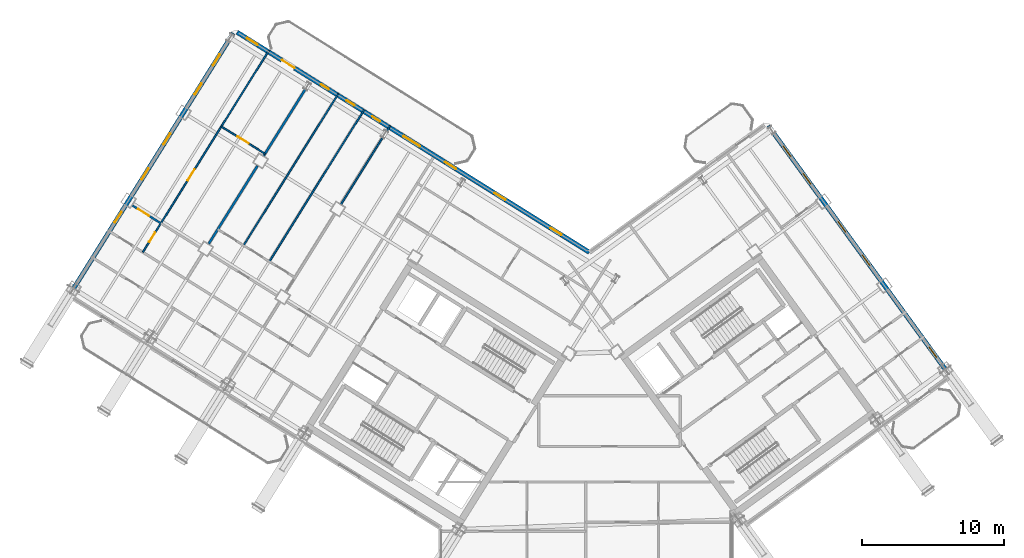
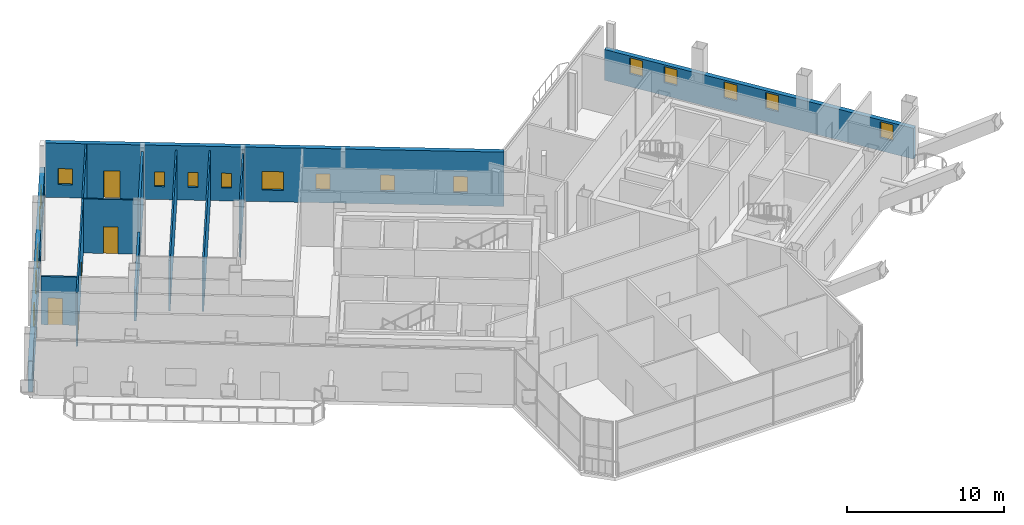
# One storey, part 26 of 34: 18 windows, 12 walls, 5 doors, 23 openings.
"""IFC4 building model written with IfcOpenShell, lengths in metres."""

from ifc_helpers import new_model, si_unit, direction, frame, frame_2d, origin, place, context, subcontext, project, spatial, rectangle, extrude, source, transform, mapped, material, layer, layer_set, type_object, element, fill, save


model = new_model("IFC4")

# Units and contexts
model_context = context("Model", 3, precision=1e-05, world=origin(), true_north=direction((0.0, 1.0)))
body_context = subcontext(model_context, "Body", "Model", "MODEL_VIEW")
ifc_project = project(units=[si_unit("LENGTHUNIT", "METRE"), si_unit("AREAUNIT", "SQUARE_METRE"), si_unit("VOLUMEUNIT", "CUBIC_METRE"), si_unit("PLANEANGLEUNIT", "RADIAN"), si_unit("MASSUNIT", "GRAM", prefix="KILO")], contexts=[model_context])

# Site, building, storey
site_placement = place(None, origin())
site = spatial("IfcSite", under=ifc_project, at=site_placement, CompositionType="ELEMENT")
building_placement = place(site_placement, origin())
building = spatial("IfcBuilding", under=site, at=building_placement, Name="Tlacorven Tower", CompositionType="ELEMENT")
storey_placement = place(building_placement, frame((0.0, 0.0, 229.199951171875)))
storey = spatial("IfcBuildingStorey", under=building, at=storey_placement, Name="L58", CompositionType="ELEMENT", Elevation=229.199951171875)

# Walls
ifc_material_1 = material(Name="Gypsum plasterboard acoustic partition", Category="gypsum")
ifc_layer_1 = layer(ifc_material_1, 0.159912109375)
ifc_layer_set_1 = layer_set([ifc_layer_1], Name="Gypsum plasterboard acoustic partition")
wall_type_1 = type_object("IfcWallType", Name="WL-DEM-160", PredefinedType="PARTITIONING", material=ifc_layer_set_1)
wall_1_placement = place(storey_placement, frame((22.206298828125, 43.048828125, 0.0), z_axis=(0.0, 0.0, 1.0), x_axis=(-0.529919150083, -0.848048167486, 0.0)))
element("IfcWall", 1, at=wall_1_placement, inside=storey, type_object=wall_type_1, Name="L58 WS Demising Wall 1", PredefinedType="PARTITIONING", context=body_context, shape_type="SweptSolid", body=[
    extrude(rectangle(XDim=5.5009765625, YDim=0.159912109375, at=frame_2d((2.75048828125, 0.0))), origin(), (0.0, 0.0, 1.0), 4.2099609375),
])
wall_2_placement = place(storey_placement, frame((18.8544921875, 37.684814453125, 0.0), z_axis=(0.0, 0.0, 1.0), x_axis=(-0.529907440938, -0.848055484057, 0.0)))
element("IfcWall", 2, at=wall_2_placement, inside=storey, type_object=wall_type_1, Name="L58 WS Demising Wall 1", PredefinedType="PARTITIONING", context=body_context, shape_type="SweptSolid", body=[
    extrude(rectangle(XDim=6.475830078125, YDim=0.159912109375, at=frame_2d((3.23779296875, 0.0))), origin(), (0.0, 0.0, 1.0), 2.39501953125),
])

# Wall, openings, windows
ifc_material_2 = material(Name="Precast concrete C45/55", Category="concrete")
ifc_layer_2 = layer(ifc_material_2, 0.320068359375)
ifc_layer_set_2 = layer_set([ifc_layer_2], Name="Precast concrete C45/55")
wall_type_2 = type_object("IfcWallType", Name="WL-EXT-320", PredefinedType="STANDARD", material=ifc_layer_set_2)
wall_3_placement = place(storey_placement, frame((5.699951171875, 28.71044921875, 0.0), z_axis=(0.0, 0.0, 1.0), x_axis=(0.529923711467, 0.8480453172, 0.0)))
wall_3 = element("IfcWall", 3, at=wall_3_placement, inside=storey, type_object=wall_type_2, Name="L58 Masonry-Frame Recessed Facade Wall 2", PredefinedType="STANDARD", context=body_context, shape_type="SweptSolid", body=[
    extrude(rectangle(XDim=21.58740234375, YDim=0.320068359375, at=frame_2d((10.793701171875, 0.0))), origin(), (0.0, 0.0, 1.0), 2.39501953125),
])
opening_1_placement = place(wall_3_placement, frame((5.858642578125, 0.0, 1.0)))
opening_1 = element("IfcOpeningElement", 4, at=opening_1_placement, cuts=wall_3, Name="Opening WN05", PredefinedType="OPENING", context=body_context, shape_type="SweptSolid", body=[
    extrude(rectangle(XDim=0.89990234375, YDim=1.25, at=frame_2d((0.449951171875, 0.625))), frame((0.0, 0.169921875, 0.0), z_axis=(0.0, -1.0, 0.0), x_axis=(1.0, 0.0, 0.0)), (0.0, 0.0, 1.0), 0.340087890625),
])
opening_2_placement = place(wall_3_placement, frame((9.443603515625, 0.0, 1.0)))
opening_2 = element("IfcOpeningElement", 5, at=opening_2_placement, cuts=wall_3, Name="Opening WN05", PredefinedType="OPENING", context=body_context, shape_type="SweptSolid", body=[
    extrude(rectangle(XDim=0.89990234375, YDim=1.25, at=frame_2d((0.449951171875, 0.625))), frame((0.0, 0.169921875, 0.0), z_axis=(0.0, -1.0, 0.0), x_axis=(1.0, 0.0, 0.0)), (0.0, 0.0, 1.0), 0.340087890625),
])
opening_3_placement = place(wall_3_placement, frame((12.34375, 0.0, 1.0)))
opening_3 = element("IfcOpeningElement", 6, at=opening_3_placement, cuts=wall_3, Name="Opening WN05", PredefinedType="OPENING", context=body_context, shape_type="SweptSolid", body=[
    extrude(rectangle(XDim=0.89990234375, YDim=1.25, at=frame_2d((0.449951171875, 0.625))), frame((0.0, 0.169921875, 0.0), z_axis=(0.0, -1.0, 0.0), x_axis=(1.0, 0.0, 0.0)), (0.0, 0.0, 1.0), 0.340087890625),
])
opening_4_placement = place(wall_3_placement, frame((16.5, 0.0, 1.0)))
opening_4 = element("IfcOpeningElement", 7, at=opening_4_placement, cuts=wall_3, Name="Opening WN05", PredefinedType="OPENING", context=body_context, shape_type="SweptSolid", body=[
    extrude(rectangle(XDim=0.89990234375, YDim=1.25, at=frame_2d((0.449951171875, 0.625))), frame((0.0, 0.169921875, 0.0), z_axis=(0.0, -1.0, 0.0), x_axis=(1.0, 0.0, 0.0)), (0.0, 0.0, 1.0), 0.340087890625),
])
opening_5_placement = place(wall_3_placement, frame((18.91259765625, 0.0, 1.0)))
opening_5 = element("IfcOpeningElement", 8, at=opening_5_placement, cuts=wall_3, Name="Opening WN05", PredefinedType="OPENING", context=body_context, shape_type="SweptSolid", body=[
    extrude(rectangle(XDim=0.89990234375, YDim=1.25, at=frame_2d((0.449951171875, 0.625))), frame((0.0, 0.169921875, 0.0), z_axis=(0.0, -1.0, 0.0), x_axis=(1.0, 0.0, 0.0)), (0.0, 0.0, 1.0), 0.340087890625),
])
ifc_material_3 = material(Name="Dark solar low-E double glazing in anodised aluminium frame", Category="aluminium")
window_type_1 = type_object("IfcWindowType", Name="WN-APT-0900X1350", PartitioningType="SINGLE_PANEL", PredefinedType="WINDOW", material=ifc_material_3)
shared_shape_1 = source(origin(), body_context, "Body", "SweptSolid", [
    extrude(rectangle(XDim=0.89990234375, YDim=1.25, at=frame_2d((0.449951171875, 0.625))), frame((0.0, 0.030029296875, 0.0), z_axis=(0.0, -1.0, 0.0), x_axis=(1.0, 0.0, 0.0)), (0.0, 0.0, 1.0), 0.06005859375),
])
window_1_placement = place(opening_1_placement, origin())
window_1 = element("IfcWindow", 9, at=window_1_placement, inside=storey, type_object=window_type_1, Name="L58 Recessed Masonry-Frame Window L58-02.1", OverallHeight=1.25, OverallWidth=0.89990234375, PartitioningType="SINGLE_PANEL", PredefinedType="WINDOW", context=body_context, shape_type="MappedRepresentation", body=[
    mapped(shared_shape_1, transform((0.0, 0.0, 0.0), scale=1.0)),
])
fill(opening_1, window_1)
window_2_placement = place(opening_2_placement, origin())
window_2 = element("IfcWindow", 10, at=window_2_placement, inside=storey, type_object=window_type_1, Name="L58 Recessed Masonry-Frame Window L58-02.2", OverallHeight=1.25, OverallWidth=0.89990234375, PartitioningType="SINGLE_PANEL", PredefinedType="WINDOW", context=body_context, shape_type="MappedRepresentation", body=[
    mapped(shared_shape_1, transform((0.0, 0.0, 0.0), scale=1.0)),
])
fill(opening_2, window_2)
window_3_placement = place(opening_3_placement, origin())
window_3 = element("IfcWindow", 11, at=window_3_placement, inside=storey, type_object=window_type_1, Name="L58 Recessed Masonry-Frame Window L58-02.3", OverallHeight=1.25, OverallWidth=0.89990234375, PartitioningType="SINGLE_PANEL", PredefinedType="WINDOW", context=body_context, shape_type="MappedRepresentation", body=[
    mapped(shared_shape_1, transform((0.0, 0.0, 0.0), scale=1.0)),
])
fill(opening_3, window_3)
window_4_placement = place(opening_4_placement, origin())
window_4 = element("IfcWindow", 12, at=window_4_placement, inside=storey, type_object=window_type_1, Name="L58 Recessed Masonry-Frame Window L58-02.4", OverallHeight=1.25, OverallWidth=0.89990234375, PartitioningType="SINGLE_PANEL", PredefinedType="WINDOW", context=body_context, shape_type="MappedRepresentation", body=[
    mapped(shared_shape_1, transform((0.0, 0.0, 0.0), scale=1.0)),
])
fill(opening_4, window_4)
window_5_placement = place(opening_5_placement, origin())
window_5 = element("IfcWindow", 13, at=window_5_placement, inside=storey, type_object=window_type_1, Name="L58 Recessed Masonry-Frame Window L58-02.5", OverallHeight=1.25, OverallWidth=0.89990234375, PartitioningType="SINGLE_PANEL", PredefinedType="WINDOW", context=body_context, shape_type="MappedRepresentation", body=[
    mapped(shared_shape_1, transform((0.0, 0.0, 0.0), scale=1.0)),
])
fill(opening_5, window_5)

# Wall, openings, door, windows
wall_4_placement = place(storey_placement, frame((17.423828125, 47.083251953125, 0.0), z_axis=(0.0, 0.0, 1.0), x_axis=(0.848049927979, -0.529916332693, 0.0)))
wall_4 = element("IfcWall", 14, at=wall_4_placement, inside=storey, type_object=wall_type_2, Name="L58 Masonry-Frame Recessed Facade Wall 3", PredefinedType="STANDARD", context=body_context, shape_type="SweptSolid", body=[
    extrude(rectangle(XDim=29.22314453125, YDim=0.320068359375, at=frame_2d((14.611572265625, 0.0))), origin(), (0.0, 0.0, 1.0), 4.219970703125),
])
opening_6_placement = place(wall_4_placement, frame((3.708740234375, 0.0, 0.0)))
opening_6 = element("IfcOpeningElement", 15, at=opening_6_placement, cuts=wall_4, Name="Opening D06", PredefinedType="OPENING", context=body_context, shape_type="SweptSolid", body=[
    extrude(rectangle(XDim=1.050048828125, YDim=2.14990234375, at=frame_2d((0.52490234375, 1.074951171875))), frame((0.0, 0.169921875, 0.0), z_axis=(0.0, -1.0, 0.0), x_axis=(1.0, 0.0, 0.0)), (0.0, 0.0, 1.0), 0.340087890625),
])
opening_7_placement = place(wall_4_placement, frame((0.809326171875, 0.0, 1.0)))
opening_7 = element("IfcOpeningElement", 16, at=opening_7_placement, cuts=wall_4, Name="Opening WN05", PredefinedType="OPENING", context=body_context, shape_type="SweptSolid", body=[
    extrude(rectangle(XDim=0.89990234375, YDim=1.25, at=frame_2d((0.449951171875, 0.625))), frame((0.0, 0.169921875, 0.0), z_axis=(0.0, -1.0, 0.0), x_axis=(1.0, 0.0, 0.0)), (0.0, 0.0, 1.0), 0.340087890625),
])
opening_8_placement = place(wall_4_placement, frame((13.811279296875, 0.0, 0.89990234375)))
opening_8 = element("IfcOpeningElement", 17, at=opening_8_placement, cuts=wall_4, Name="Opening WN08", PredefinedType="OPENING", context=body_context, shape_type="SweptSolid", body=[
    extrude(rectangle(XDim=1.35009765625, YDim=1.449951171875, at=frame_2d((0.675048828125, 0.72509765625))), frame((0.0, 0.169921875, 0.0), z_axis=(0.0, -1.0, 0.0), x_axis=(1.0, 0.0, 0.0)), (0.0, 0.0, 1.0), 0.340087890625),
])
opening_9_placement = place(wall_4_placement, frame((17.253662109375, 0.0, 1.0)))
opening_9 = element("IfcOpeningElement", 18, at=opening_9_placement, cuts=wall_4, Name="Opening WN05", PredefinedType="OPENING", context=body_context, shape_type="SweptSolid", body=[
    extrude(rectangle(XDim=0.89990234375, YDim=1.25, at=frame_2d((0.449951171875, 0.625))), frame((0.0, 0.169921875, 0.0), z_axis=(0.0, -1.0, 0.0), x_axis=(1.0, 0.0, 0.0)), (0.0, 0.0, 1.0), 0.340087890625),
])
opening_10_placement = place(wall_4_placement, frame((21.363525390625, 0.0, 1.0)))
opening_10 = element("IfcOpeningElement", 19, at=opening_10_placement, cuts=wall_4, Name="Opening WN05", PredefinedType="OPENING", context=body_context, shape_type="SweptSolid", body=[
    extrude(rectangle(XDim=0.89990234375, YDim=1.25, at=frame_2d((0.449951171875, 0.625))), frame((0.0, 0.169921875, 0.0), z_axis=(0.0, -1.0, 0.0), x_axis=(1.0, 0.0, 0.0)), (0.0, 0.0, 1.0), 0.340087890625),
])
opening_11_placement = place(wall_4_placement, frame((26.00341796875, 0.0, 1.0)))
opening_11 = element("IfcOpeningElement", 20, at=opening_11_placement, cuts=wall_4, Name="Opening WN05", PredefinedType="OPENING", context=body_context, shape_type="SweptSolid", body=[
    extrude(rectangle(XDim=0.89990234375, YDim=1.25, at=frame_2d((0.449951171875, 0.625))), frame((0.0, 0.169921875, 0.0), z_axis=(0.0, -1.0, 0.0), x_axis=(1.0, 0.0, 0.0)), (0.0, 0.0, 1.0), 0.340087890625),
])
opening_12_placement = place(wall_4_placement, frame((11.211181640625, 0.0, 1.0)))
opening_12 = element("IfcOpeningElement", 21, at=opening_12_placement, cuts=wall_4, Name="Opening WN21", PredefinedType="OPENING", context=body_context, shape_type="SweptSolid", body=[
    extrude(rectangle(XDim=0.64990234375, YDim=1.14990234375, at=frame_2d((0.324951171875, 0.574951171875))), frame((0.0, 0.169921875, 0.0), z_axis=(0.0, -1.0, 0.0), x_axis=(1.0, 0.0, 0.0)), (0.0, 0.0, 1.0), 0.340087890625),
])
opening_13_placement = place(wall_4_placement, frame((9.07861328125, 0.0, 1.0)))
opening_13 = element("IfcOpeningElement", 22, at=opening_13_placement, cuts=wall_4, Name="Opening WN21", PredefinedType="OPENING", context=body_context, shape_type="SweptSolid", body=[
    extrude(rectangle(XDim=0.64990234375, YDim=1.14990234375, at=frame_2d((0.324951171875, 0.574951171875))), frame((0.0, 0.169921875, 0.0), z_axis=(0.0, -1.0, 0.0), x_axis=(1.0, 0.0, 0.0)), (0.0, 0.0, 1.0), 0.340087890625),
])
opening_14_placement = place(wall_4_placement, frame((6.951171875, 0.0, 1.0)))
opening_14 = element("IfcOpeningElement", 23, at=opening_14_placement, cuts=wall_4, Name="Opening WN21", PredefinedType="OPENING", context=body_context, shape_type="SweptSolid", body=[
    extrude(rectangle(XDim=0.64990234375, YDim=1.14990234375, at=frame_2d((0.324951171875, 0.574951171875))), frame((0.0, 0.169921875, 0.0), z_axis=(0.0, -1.0, 0.0), x_axis=(1.0, 0.0, 0.0)), (0.0, 0.0, 1.0), 0.340087890625),
])
ifc_material_4 = material(Name="Powder-coated aluminium and timber door", Category="wood")
door_type_1 = type_object("IfcDoorType", Name="DR-EXT-BALC-1050", OperationType="NOTDEFINED", PredefinedType="DOOR", material=ifc_material_4)
shared_shape_2 = source(origin(), body_context, "Body", "SweptSolid", [
    extrude(rectangle(XDim=1.050048828125, YDim=2.14990234375, at=frame_2d((0.52490234375, 1.074951171875))), frame((0.0, 0.02490234375, 0.0), z_axis=(0.0, -1.0, 0.0), x_axis=(1.0, 0.0, 0.0)), (0.0, 0.0, 1.0), 0.050048828125),
])
door_1_placement = place(opening_6_placement, origin())
door_1 = element("IfcDoor", 24, at=door_1_placement, inside=storey, type_object=door_type_1, Name="L58 Outdoor Access Door BAL-L58-W-IN", OperationType="SINGLE_SWING_RIGHT", OverallHeight=2.14990234375, OverallWidth=1.050048828125, PredefinedType="DOOR", context=body_context, shape_type="MappedRepresentation", body=[
    mapped(shared_shape_2, transform((0.0, 0.0, 0.0), scale=1.0)),
])
fill(opening_6, door_1)
window_6_placement = place(opening_7_placement, origin())
window_6 = element("IfcWindow", 25, at=window_6_placement, inside=storey, type_object=window_type_1, Name="L58 Recessed Masonry-Frame Window L58-03.1", OverallHeight=1.25, OverallWidth=0.89990234375, PartitioningType="SINGLE_PANEL", PredefinedType="WINDOW", context=body_context, shape_type="MappedRepresentation", body=[
    mapped(shared_shape_1, transform((0.0, 0.0, 0.0), scale=1.0)),
])
fill(opening_7, window_6)
window_7_placement = place(opening_9_placement, origin())
window_7 = element("IfcWindow", 26, at=window_7_placement, inside=storey, type_object=window_type_1, Name="L58 Recessed Masonry-Frame Window L58-03.3", OverallHeight=1.25, OverallWidth=0.89990234375, PartitioningType="SINGLE_PANEL", PredefinedType="WINDOW", context=body_context, shape_type="MappedRepresentation", body=[
    mapped(shared_shape_1, transform((0.0, 0.0, 0.0), scale=1.0)),
])
fill(opening_9, window_7)
window_8_placement = place(opening_10_placement, origin())
window_8 = element("IfcWindow", 27, at=window_8_placement, inside=storey, type_object=window_type_1, Name="L58 Recessed Masonry-Frame Window L58-03.4", OverallHeight=1.25, OverallWidth=0.89990234375, PartitioningType="SINGLE_PANEL", PredefinedType="WINDOW", context=body_context, shape_type="MappedRepresentation", body=[
    mapped(shared_shape_1, transform((0.0, 0.0, 0.0), scale=1.0)),
])
fill(opening_10, window_8)
window_9_placement = place(opening_11_placement, origin())
window_9 = element("IfcWindow", 28, at=window_9_placement, inside=storey, type_object=window_type_1, Name="L58 Recessed Masonry-Frame Window L58-03.5", OverallHeight=1.25, OverallWidth=0.89990234375, PartitioningType="SINGLE_PANEL", PredefinedType="WINDOW", context=body_context, shape_type="MappedRepresentation", body=[
    mapped(shared_shape_1, transform((0.0, 0.0, 0.0), scale=1.0)),
])
fill(opening_11, window_9)
window_type_2 = type_object("IfcWindowType", Name="WN-APT-0650X1150", PartitioningType="SINGLE_PANEL", PredefinedType="WINDOW", material=ifc_material_3)
shared_shape_3 = source(origin(), body_context, "Body", "SweptSolid", [
    extrude(rectangle(XDim=0.64990234375, YDim=1.14990234375, at=frame_2d((0.324951171875, 0.574951171875))), frame((0.0, 0.030029296875, 0.0), z_axis=(0.0, -1.0, 0.0), x_axis=(1.0, 0.0, 0.0)), (0.0, 0.0, 1.0), 0.06005859375),
])
window_10_placement = place(opening_12_placement, origin())
window_10 = element("IfcWindow", 29, at=window_10_placement, inside=storey, type_object=window_type_2, Name="L58 Dwelling Daylight Window L58-U01-BD1", OverallHeight=1.14990234375, OverallWidth=0.64990234375, PartitioningType="SINGLE_PANEL", PredefinedType="WINDOW", context=body_context, shape_type="MappedRepresentation", body=[
    mapped(shared_shape_3, transform((0.0, 0.0, 0.0), scale=1.0)),
])
fill(opening_12, window_10)
window_11_placement = place(opening_13_placement, origin())
window_11 = element("IfcWindow", 30, at=window_11_placement, inside=storey, type_object=window_type_2, Name="L58 Dwelling Daylight Window L58-U01-BD2", OverallHeight=1.14990234375, OverallWidth=0.64990234375, PartitioningType="SINGLE_PANEL", PredefinedType="WINDOW", context=body_context, shape_type="MappedRepresentation", body=[
    mapped(shared_shape_3, transform((0.0, 0.0, 0.0), scale=1.0)),
])
fill(opening_13, window_11)
window_12_placement = place(opening_14_placement, origin())
window_12 = element("IfcWindow", 31, at=window_12_placement, inside=storey, type_object=window_type_2, Name="L58 Dwelling Daylight Window L58-U01-BD3", OverallHeight=1.14990234375, OverallWidth=0.64990234375, PartitioningType="SINGLE_PANEL", PredefinedType="WINDOW", context=body_context, shape_type="MappedRepresentation", body=[
    mapped(shared_shape_3, transform((0.0, 0.0, 0.0), scale=1.0)),
])
fill(opening_14, window_12)
window_type_3 = type_object("IfcWindowType", Name="WN-APT-1350X1550", PartitioningType="SINGLE_PANEL", PredefinedType="WINDOW", material=ifc_material_3)
shared_shape_4 = source(origin(), body_context, "Body", "SweptSolid", [
    extrude(rectangle(XDim=1.35009765625, YDim=1.449951171875, at=frame_2d((0.675048828125, 0.72509765625))), frame((0.0, 0.030029296875, 0.0), z_axis=(0.0, -1.0, 0.0), x_axis=(1.0, 0.0, 0.0)), (0.0, 0.0, 1.0), 0.06005859375),
])
window_13_placement = place(opening_8_placement, origin())
window_13 = element("IfcWindow", 32, at=window_13_placement, inside=storey, type_object=window_type_3, Name="L58 Recessed Masonry-Frame Window L58-03.2", OverallHeight=1.449951171875, OverallWidth=1.35009765625, PartitioningType="SINGLE_PANEL", PredefinedType="WINDOW", context=body_context, shape_type="MappedRepresentation", body=[
    mapped(shared_shape_4, transform((0.0, 0.0, 0.0), scale=1.0)),
])
fill(opening_8, window_13)

# Wall, openings, windows
wall_5_placement = place(storey_placement, frame((54.810302734375, 40.49951171875, 0.0), z_axis=(0.0, 0.0, 1.0), x_axis=(0.587783625747, -0.809018176127, 0.0)))
wall_5 = element("IfcWall", 33, at=wall_5_placement, inside=storey, type_object=wall_type_2, Name="L58 Masonry-Frame Recessed Facade Wall 5", PredefinedType="STANDARD", context=body_context, shape_type="SweptSolid", body=[
    extrude(rectangle(XDim=21.58740234375, YDim=0.320068359375, at=frame_2d((10.793701171875, 0.0))), origin(), (0.0, 0.0, 1.0), 2.39501953125),
])
opening_15_placement = place(wall_5_placement, frame((1.768310546875, 0.0, 1.0)))
opening_15 = element("IfcOpeningElement", 34, at=opening_15_placement, cuts=wall_5, Name="Opening WN05", PredefinedType="OPENING", context=body_context, shape_type="SweptSolid", body=[
    extrude(rectangle(XDim=0.89990234375, YDim=1.25, at=frame_2d((0.449951171875, 0.625))), frame((0.0, 0.169921875, 0.0), z_axis=(0.0, -1.0, 0.0), x_axis=(1.0, 0.0, 0.0)), (0.0, 0.0, 1.0), 0.340087890625),
])
opening_16_placement = place(wall_5_placement, frame((4.167236328125, 0.0, 1.0)))
opening_16 = element("IfcOpeningElement", 35, at=opening_16_placement, cuts=wall_5, Name="Opening WN05", PredefinedType="OPENING", context=body_context, shape_type="SweptSolid", body=[
    extrude(rectangle(XDim=0.89990234375, YDim=1.25, at=frame_2d((0.449951171875, 0.625))), frame((0.0, 0.169921875, 0.0), z_axis=(0.0, -1.0, 0.0), x_axis=(1.0, 0.0, 0.0)), (0.0, 0.0, 1.0), 0.340087890625),
])
opening_17_placement = place(wall_5_placement, frame((8.34375, 0.0, 1.0)))
opening_17 = element("IfcOpeningElement", 36, at=opening_17_placement, cuts=wall_5, Name="Opening WN05", PredefinedType="OPENING", context=body_context, shape_type="SweptSolid", body=[
    extrude(rectangle(XDim=0.89990234375, YDim=1.25, at=frame_2d((0.449951171875, 0.625))), frame((0.0, 0.169921875, 0.0), z_axis=(0.0, -1.0, 0.0), x_axis=(1.0, 0.0, 0.0)), (0.0, 0.0, 1.0), 0.340087890625),
])
opening_18_placement = place(wall_5_placement, frame((11.24365234375, 0.0, 1.0)))
opening_18 = element("IfcOpeningElement", 37, at=opening_18_placement, cuts=wall_5, Name="Opening WN05", PredefinedType="OPENING", context=body_context, shape_type="SweptSolid", body=[
    extrude(rectangle(XDim=0.89990234375, YDim=1.25, at=frame_2d((0.449951171875, 0.625))), frame((0.0, 0.169921875, 0.0), z_axis=(0.0, -1.0, 0.0), x_axis=(1.0, 0.0, 0.0)), (0.0, 0.0, 1.0), 0.340087890625),
])
opening_19_placement = place(wall_5_placement, frame((19.24169921875, 0.0, 1.0)))
opening_19 = element("IfcOpeningElement", 38, at=opening_19_placement, cuts=wall_5, Name="Opening WN05", PredefinedType="OPENING", context=body_context, shape_type="SweptSolid", body=[
    extrude(rectangle(XDim=0.89990234375, YDim=1.25, at=frame_2d((0.449951171875, 0.625))), frame((0.0, 0.169921875, 0.0), z_axis=(0.0, -1.0, 0.0), x_axis=(1.0, 0.0, 0.0)), (0.0, 0.0, 1.0), 0.340087890625),
])
window_14_placement = place(opening_15_placement, origin())
window_14 = element("IfcWindow", 39, at=window_14_placement, inside=storey, type_object=window_type_1, Name="L58 Recessed Masonry-Frame Window L58-05.1", OverallHeight=1.25, OverallWidth=0.89990234375, PartitioningType="SINGLE_PANEL", PredefinedType="WINDOW", context=body_context, shape_type="MappedRepresentation", body=[
    mapped(shared_shape_1, transform((0.0, 0.0, 0.0), scale=1.0)),
])
fill(opening_15, window_14)
window_15_placement = place(opening_16_placement, origin())
window_15 = element("IfcWindow", 40, at=window_15_placement, inside=storey, type_object=window_type_1, Name="L58 Recessed Masonry-Frame Window L58-05.2", OverallHeight=1.25, OverallWidth=0.89990234375, PartitioningType="SINGLE_PANEL", PredefinedType="WINDOW", context=body_context, shape_type="MappedRepresentation", body=[
    mapped(shared_shape_1, transform((0.0, 0.0, 0.0), scale=1.0)),
])
fill(opening_16, window_15)
window_16_placement = place(opening_17_placement, origin())
window_16 = element("IfcWindow", 41, at=window_16_placement, inside=storey, type_object=window_type_1, Name="L58 Recessed Masonry-Frame Window L58-05.3", OverallHeight=1.25, OverallWidth=0.89990234375, PartitioningType="SINGLE_PANEL", PredefinedType="WINDOW", context=body_context, shape_type="MappedRepresentation", body=[
    mapped(shared_shape_1, transform((0.0, 0.0, 0.0), scale=1.0)),
])
fill(opening_17, window_16)
window_17_placement = place(opening_18_placement, origin())
window_17 = element("IfcWindow", 42, at=window_17_placement, inside=storey, type_object=window_type_1, Name="L58 Recessed Masonry-Frame Window L58-05.4", OverallHeight=1.25, OverallWidth=0.89990234375, PartitioningType="SINGLE_PANEL", PredefinedType="WINDOW", context=body_context, shape_type="MappedRepresentation", body=[
    mapped(shared_shape_1, transform((0.0, 0.0, 0.0), scale=1.0)),
])
fill(opening_18, window_17)
window_18_placement = place(opening_19_placement, origin())
window_18 = element("IfcWindow", 43, at=window_18_placement, inside=storey, type_object=window_type_1, Name="L58 Recessed Masonry-Frame Window L58-05.5", OverallHeight=1.25, OverallWidth=0.89990234375, PartitioningType="SINGLE_PANEL", PredefinedType="WINDOW", context=body_context, shape_type="MappedRepresentation", body=[
    mapped(shared_shape_1, transform((0.0, 0.0, 0.0), scale=1.0)),
])
fill(opening_19, window_18)

# Walls
ifc_material_5 = material(Name="Gypsum plasterboard partition", Category="gypsum")
ifc_layer_3 = layer(ifc_material_5, 0.110107421875)
ifc_layer_set_3 = layer_set([ifc_layer_3], Name="Gypsum plasterboard partition")
wall_type_3 = type_object("IfcWallType", Name="WL-INT-110", PredefinedType="PARTITIONING", material=ifc_layer_set_3)
wall_6_placement = place(storey_placement, frame((28.184326171875, 40.500732421875, 0.0), z_axis=(0.0, 0.0, 1.0), x_axis=(-0.529593308415, -0.848251688877, 0.0)))
element("IfcWall", 44, at=wall_6_placement, inside=storey, type_object=wall_type_3, Name="L58 partition 45", PredefinedType="PARTITIONING", context=body_context, shape_type="SweptSolid", body=[
    extrude(rectangle(XDim=0.432861328125, YDim=0.110107421875, at=frame_2d((0.21630859375, 0.0))), origin(), (0.0, 0.0, 1.0), 4.2099609375),
])
wall_7_placement = place(storey_placement, frame((27.65087890625, 39.646728515625, 0.0), z_axis=(0.0, 0.0, 1.0), x_axis=(-0.529919150083, -0.848048167486, 0.0)))
element("IfcWall", 45, at=wall_7_placement, inside=storey, type_object=wall_type_3, Name="L58 partition 45", PredefinedType="PARTITIONING", context=body_context, shape_type="SweptSolid", body=[
    extrude(rectangle(XDim=5.5009765625, YDim=0.110107421875, at=frame_2d((2.75048828125, 0.0))), origin(), (0.0, 0.0, 1.0), 4.2099609375),
])
wall_8_placement = place(storey_placement, frame((26.36962890625, 41.634765625, 0.0), z_axis=(0.0, 0.0, 1.0), x_axis=(-0.529925845384, -0.848043983761, 0.0)))
element("IfcWall", 46, at=wall_8_placement, inside=storey, type_object=wall_type_3, Name="L58 partition 50", PredefinedType="PARTITIONING", context=body_context, shape_type="SweptSolid", body=[
    extrude(rectangle(XDim=12.610107421875, YDim=0.110107421875, at=frame_2d((6.30517578125, 0.0))), origin(), (0.0, 0.0, 1.0), 3.89501953125),
])
wall_9_placement = place(storey_placement, frame((24.5546875, 42.768798828125, 0.0), z_axis=(0.0, 0.0, 1.0), x_axis=(-0.529911921261, -0.848052684511, 0.0)))
element("IfcWall", 47, at=wall_9_placement, inside=storey, type_object=wall_type_3, Name="L58 partition 51", PredefinedType="PARTITIONING", context=body_context, shape_type="SweptSolid", body=[
    extrude(rectangle(XDim=12.60986328125, YDim=0.110107421875, at=frame_2d((6.304931640625, 0.0))), origin(), (0.0, 0.0, 1.0), 3.89501953125),
])

# Wall, openings, doors
wall_10_placement = place(storey_placement, frame((19.669921875, 45.821044921875, 0.0), z_axis=(0.0, 0.0, 1.0), x_axis=(-0.529920421309, -0.848047373134, 0.0)))
wall_10 = element("IfcWall", 48, at=wall_10_placement, inside=storey, type_object=wall_type_3, Name="L58 partition 52", PredefinedType="PARTITIONING", context=body_context, shape_type="SweptSolid", body=[
    extrude(rectangle(XDim=16.77001953125, YDim=0.110107421875, at=frame_2d((8.385009765625, 0.0))), origin(), (0.0, 0.0, 1.0), 4.2099609375),
])
opening_20_placement = place(wall_10_placement, frame((15.1298828125, 0.0, 0.0)))
opening_20 = element("IfcOpeningElement", 49, at=opening_20_placement, cuts=wall_10, Name="Opening D22", PredefinedType="OPENING", context=body_context, shape_type="SweptSolid", body=[
    extrude(rectangle(XDim=0.780029296875, YDim=2.050048828125, at=frame_2d((0.39013671875, 1.02490234375))), frame((0.0, 0.06494140625, 0.0), z_axis=(0.0, -1.0, 0.0), x_axis=(1.0, 0.0, 0.0)), (0.0, 0.0, 1.0), 0.130126953125),
])
opening_21_placement = place(wall_10_placement, frame((9.883544921875, 0.0, 0.0)))
opening_21 = element("IfcOpeningElement", 50, at=opening_21_placement, cuts=wall_10, Name="Opening D12", PredefinedType="OPENING", context=body_context, shape_type="SweptSolid", body=[
    extrude(rectangle(XDim=0.919921875, YDim=2.080078125, at=frame_2d((0.4599609375, 1.0400390625))), frame((0.0, 0.06494140625, 0.0), z_axis=(0.0, -1.0, 0.0), x_axis=(1.0, 0.0, 0.0)), (0.0, 0.0, 1.0), 0.130126953125),
])
door_type_2 = type_object("IfcDoorType", Name="DR-INT-WET-0780", OperationType="NOTDEFINED", PredefinedType="DOOR", material=ifc_material_4)
shared_shape_5 = source(origin(), body_context, "Body", "SweptSolid", [
    extrude(rectangle(XDim=0.780029296875, YDim=2.050048828125, at=frame_2d((0.39013671875, 1.02490234375))), frame((0.0, 0.02490234375, 0.0), z_axis=(0.0, -1.0, 0.0), x_axis=(1.0, 0.0, 0.0)), (0.0, 0.0, 1.0), 0.050048828125),
])
door_2_placement = place(opening_20_placement, origin())
door_2 = element("IfcDoor", 51, at=door_2_placement, inside=storey, type_object=door_type_2, Name="L58 door 034", OperationType="SINGLE_SWING_LEFT", OverallHeight=2.050048828125, OverallWidth=0.780029296875, PredefinedType="DOOR", context=body_context, shape_type="MappedRepresentation", body=[
    mapped(shared_shape_5, transform((0.0, 0.0, 0.0), scale=1.0)),
])
fill(opening_20, door_2)
door_type_3 = type_object("IfcDoorType", Name="DR-INT-ROOM-0920", OperationType="NOTDEFINED", PredefinedType="DOOR", material=ifc_material_4)
shared_shape_6 = source(origin(), body_context, "Body", "SweptSolid", [
    extrude(rectangle(XDim=0.919921875, YDim=2.080078125, at=frame_2d((0.4599609375, 1.0400390625))), frame((0.0, 0.02490234375, 0.0), z_axis=(0.0, -1.0, 0.0), x_axis=(1.0, 0.0, 0.0)), (0.0, 0.0, 1.0), 0.050048828125),
])
door_3_placement = place(opening_21_placement, origin())
door_3 = element("IfcDoor", 52, at=door_3_placement, inside=storey, type_object=door_type_3, Name="L58 door 035", OperationType="SINGLE_SWING_RIGHT", OverallHeight=2.080078125, OverallWidth=0.919921875, PredefinedType="DOOR", context=body_context, shape_type="MappedRepresentation", body=[
    mapped(shared_shape_6, transform((0.0, 0.0, 0.0), scale=1.0)),
])
fill(opening_21, door_3)

# Wall, opening, door
wall_11_placement = place(storey_placement, frame((19.3818359375, 38.52880859375, 0.0), z_axis=(0.0, 0.0, 1.0), x_axis=(-0.848051346257, 0.52991406295, 0.0)))
wall_11 = element("IfcWall", 53, at=wall_11_placement, inside=storey, type_object=wall_type_3, Name="L58 partition 56", PredefinedType="PARTITIONING", context=body_context, shape_type="SweptSolid", body=[
    extrude(rectangle(XDim=3.619873046875, YDim=0.110107421875, at=frame_2d((1.81005859375, 0.0))), origin(), (0.0, 0.0, 1.0), 4.2099609375),
])
opening_22_placement = place(wall_11_placement, frame((1.35009765625, 0.0, 0.0)))
opening_22 = element("IfcOpeningElement", 54, at=opening_22_placement, cuts=wall_11, Name="Opening D12", PredefinedType="OPENING", context=body_context, shape_type="SweptSolid", body=[
    extrude(rectangle(XDim=0.919921875, YDim=2.080078125, at=frame_2d((0.4599609375, 1.0400390625))), frame((0.0, 0.06494140625, 0.0), z_axis=(0.0, -1.0, 0.0), x_axis=(1.0, 0.0, 0.0)), (0.0, 0.0, 1.0), 0.130126953125),
])
door_4_placement = place(opening_22_placement, origin())
door_4 = element("IfcDoor", 55, at=door_4_placement, inside=storey, type_object=door_type_3, Name="L58 door 036", OperationType="SINGLE_SWING_RIGHT", OverallHeight=2.080078125, OverallWidth=0.919921875, PredefinedType="DOOR", context=body_context, shape_type="MappedRepresentation", body=[
    mapped(shared_shape_6, transform((0.0, 0.0, 0.0), scale=1.0)),
])
fill(opening_22, door_4)

ifc_material_6 = material(Name="Moisture-resistant gypsum plumbing wall", Category="gypsum")
ifc_layer_4 = layer(ifc_material_6, 0.139892578125)
ifc_layer_set_4 = layer_set([ifc_layer_4], Name="Moisture-resistant gypsum plumbing wall")
wall_type_4 = type_object("IfcWallType", Name="WL-PLM-140", PredefinedType="PLUMBINGWALL", material=ifc_layer_set_4)
wall_12_placement = place(storey_placement, frame((12.05517578125, 33.634765625, 0.0), z_axis=(0.0, 0.0, 1.0), x_axis=(-0.848102546264, 0.529832115883, 0.0)))
wall_12 = element("IfcWall", 56, at=wall_12_placement, inside=storey, type_object=wall_type_4, Name="L58 partition 54", PredefinedType="PLUMBINGWALL", context=body_context, shape_type="SweptSolid", body=[
    extrude(rectangle(XDim=2.367919921875, YDim=0.139892578125, at=frame_2d((1.18408203125, 0.0))), origin(), (0.0, 0.0, 1.0), 3.7451171875),
])
opening_23_placement = place(wall_12_placement, frame((0.989990234375, 0.0, 0.0)))
opening_23 = element("IfcOpeningElement", 57, at=opening_23_placement, cuts=wall_12, Name="Opening D12", PredefinedType="OPENING", context=body_context, shape_type="SweptSolid", body=[
    extrude(rectangle(XDim=0.919921875, YDim=2.080078125, at=frame_2d((0.4599609375, 1.0400390625))), frame((0.0, 0.080078125, 0.0), z_axis=(0.0, -1.0, 0.0), x_axis=(1.0, 0.0, 0.0)), (0.0, 0.0, 1.0), 0.159912109375),
])
door_5_placement = place(opening_23_placement, origin())
door_5 = element("IfcDoor", 58, at=door_5_placement, inside=storey, type_object=door_type_3, Name="L58 door 033", OperationType="SINGLE_SWING_LEFT", OverallHeight=2.080078125, OverallWidth=0.919921875, PredefinedType="DOOR", context=body_context, shape_type="MappedRepresentation", body=[
    mapped(shared_shape_6, transform((0.0, 0.0, 0.0), scale=1.0)),
])
fill(opening_23, door_5)

save(model, "model.ifc")
